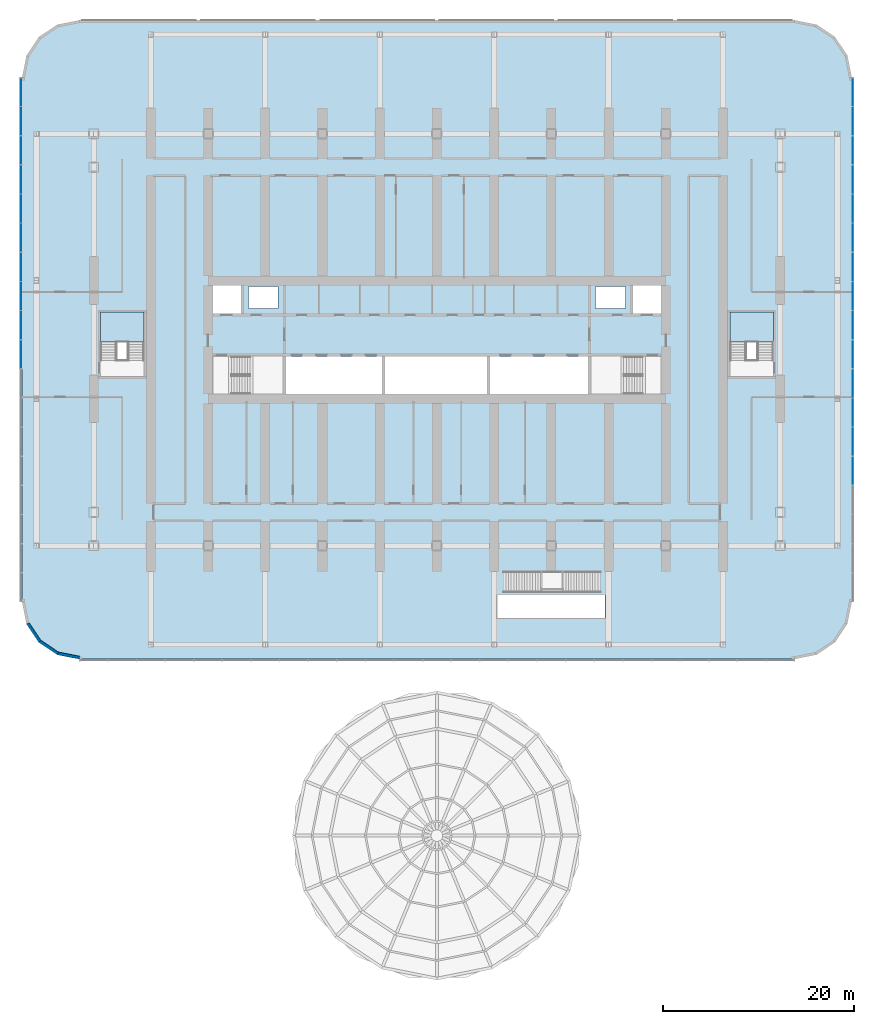
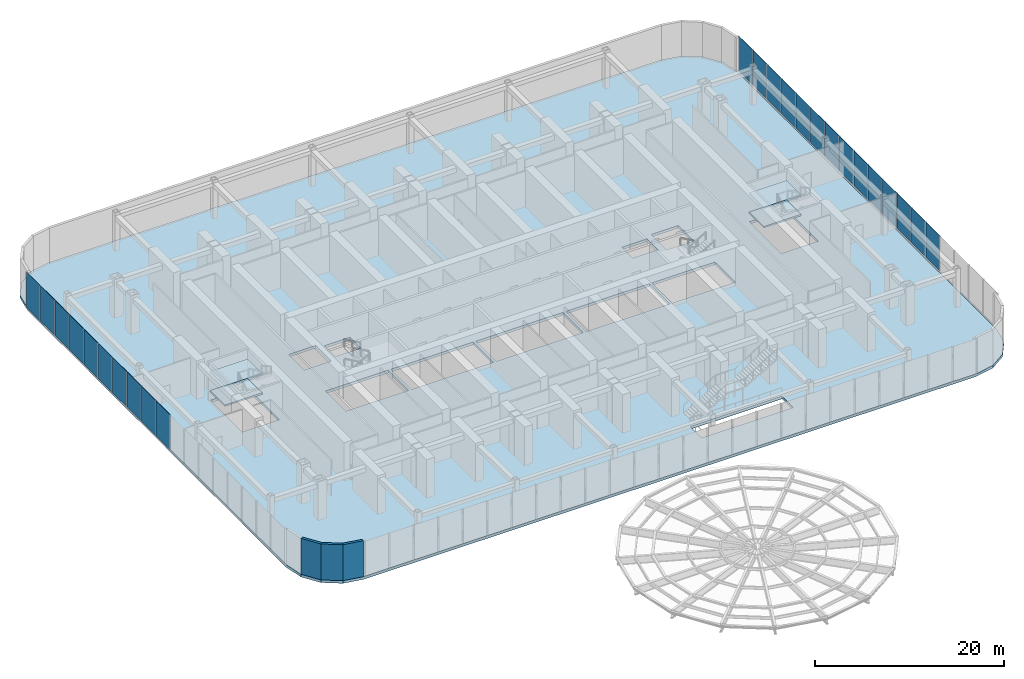
# One storey, part 13 of 37: 24 plates, 5 slabs, 3 walls, 4 elements without a shape of their own.
"""IFC4 building model written with IfcOpenShell, lengths in metres."""

from ifc_helpers import new_model, si_unit, direction, frame, origin, origin_2d, place, context, subcontext, project, spatial, polyline, rectangle, outline, extrude, material, layer, layer_set, type_object, element, aggregate, save


model = new_model("IFC4")

# Units and contexts
model_context = context("Model", 3, precision=1e-05, world=origin(), true_north=direction((0.0, 1.0)))
body_context = subcontext(model_context, "Body", "Model", "MODEL_VIEW")
ifc_project = project(units=[si_unit("LENGTHUNIT", "METRE"), si_unit("AREAUNIT", "SQUARE_METRE"), si_unit("VOLUMEUNIT", "CUBIC_METRE"), si_unit("PLANEANGLEUNIT", "RADIAN"), si_unit("MASSUNIT", "GRAM", prefix="KILO")], contexts=[model_context])

# Site, building, storey
site_placement = place(None, origin())
site = spatial("IfcSite", under=ifc_project, at=site_placement, CompositionType="ELEMENT")
building_placement = place(site_placement, origin())
building = spatial("IfcBuilding", under=site, at=building_placement, Name="Orbita Commons", CompositionType="ELEMENT")
storey_placement = place(building_placement, frame((0.0, 0.0, 6.0)))
storey = spatial("IfcBuildingStorey", under=building, at=storey_placement, Name="L01", CompositionType="ELEMENT", Elevation=6.0)

# Slab
ifc_material_1 = material(Name="Concrete C40/50", Category="concrete")
ifc_layer_1 = layer(ifc_material_1, 0.35009765625)
ifc_layer_set_1 = layer_set([ifc_layer_1], Name="Concrete C40/50")
slab_type_1 = type_object("IfcSlabType", Name="Floor slab 350", PredefinedType="FLOOR", material=ifc_layer_set_1)
slab_1_placement = place(storey_placement, frame((0.0, 0.0, -0.35009765625)))
element("IfcSlab", 1, at=slab_1_placement, inside=storey, type_object=slab_type_1, Name="Floor slab L01", PredefinedType="FLOOR", context=body_context, shape_type="SweptSolid", body=[
    extrude(outline(polyline([(79.5, -1.5), (81.796142578125, -1.043212890625), (83.74267578125, 0.25732421875), (85.043212890625, 2.203857421875), (85.5, 4.5), (85.5, 59.5), (85.043212890625, 61.796142578125), (83.74267578125, 63.74267578125), (81.796142578125, 65.043212890625), (79.5, 65.5), (4.5, 65.5), (2.203857421875, 65.043212890625), (0.25732421875, 63.74267578125), (-1.043212890625, 61.796142578125), (-1.5, 59.5), (-1.5, 4.5), (-1.043212890625, 2.203857421875), (0.25732421875, 0.25732421875), (2.203857421875, -1.043212890625), (4.5, -1.5), (79.5, -1.5)]), holes=[polyline([(18.14990234375, 25.949951171875), (25.85009765625, 25.949951171875), (25.85009765625, 30.25), (18.14990234375, 30.25), (18.14990234375, 25.949951171875)]), polyline([(58.14990234375, 25.949951171875), (65.85009765625, 25.949951171875), (65.85009765625, 30.25), (58.14990234375, 30.25), (58.14990234375, 25.949951171875)]), polyline([(18.14990234375, 34.75), (21.449951171875, 34.75), (21.449951171875, 38.050048828125), (18.14990234375, 38.050048828125), (18.14990234375, 34.75)]), polyline([(62.550048828125, 34.75), (65.85009765625, 34.75), (65.85009765625, 38.050048828125), (62.550048828125, 38.050048828125), (62.550048828125, 34.75)]), polyline([(22.25, 35.25), (25.35009765625, 35.25), (25.35009765625, 37.550048828125), (22.25, 37.550048828125), (22.25, 35.25)]), polyline([(58.64990234375, 35.25), (61.75, 35.25), (61.75, 37.550048828125), (58.64990234375, 37.550048828125), (58.64990234375, 35.25)]), polyline([(26.14990234375, 25.949951171875), (36.25, 25.949951171875), (36.25, 30.25), (26.14990234375, 30.25), (26.14990234375, 25.949951171875)]), polyline([(36.550048828125, 25.949951171875), (47.25, 25.949951171875), (47.25, 30.25), (36.550048828125, 30.25), (36.550048828125, 25.949951171875)]), polyline([(47.550048828125, 25.949951171875), (57.85009765625, 25.949951171875), (57.85009765625, 30.25), (47.550048828125, 30.25), (47.550048828125, 25.949951171875)]), polyline([(48.35009765625, 2.800048828125), (59.60009765625, 2.800048828125), (59.60009765625, 5.199951171875), (48.35009765625, 5.199951171875), (48.35009765625, 2.800048828125)]), polyline([(11.2900390625, 28.110107421875), (6.7099609375, 28.110107421875), (6.7099609375, 29.820068359375), (6.72509765625, 29.820068359375), (6.72509765625, 30.320068359375), (6.72509765625, 34.875), (11.27490234375, 34.875), (11.27490234375, 30.320068359375), (11.27490234375, 29.820068359375), (11.2900390625, 29.820068359375), (11.2900390625, 28.110107421875)]), polyline([(77.2900390625, 28.110107421875), (72.7099609375, 28.110107421875), (72.7099609375, 29.820068359375), (72.72509765625, 29.820068359375), (72.72509765625, 30.320068359375), (72.72509765625, 34.875), (77.27490234375, 34.875), (77.27490234375, 30.320068359375), (77.27490234375, 29.820068359375), (77.2900390625, 29.820068359375), (77.2900390625, 28.110107421875)])]), origin(), (0.0, 0.0, 1.0), 0.35009765625),
])

# Stair, slabs
ifc_material_2 = material(Name="Precast concrete C40/50", Category="concrete")
stair_type = type_object("IfcStairType", Name="Podium exit stair 4 flights 8 risers 156", PredefinedType="HALF_TURN_STAIR", material=ifc_material_2)
stair_1_placement = place(storey_placement, origin())
stair_1 = element("IfcStair", 2, at=stair_1_placement, inside=storey, type_object=stair_type, Name="Podium exit stair PS1 L01", PredefinedType="HALF_TURN_STAIR")
ifc_material_3 = material(Name="Concrete C40/50", Category="concrete")
ifc_layer_2 = layer(ifc_material_3, 0.199951171875)
ifc_layer_set_2 = layer_set([ifc_layer_2], Name="Concrete C40/50")
slab_type_2 = type_object("IfcSlabType", Name="Stair landing 200", PredefinedType="LANDING", material=ifc_layer_set_2)
slab_2_placement = place(storey_placement, frame((0.0, 0.0, 1.050048828125)))
slab_2 = element("IfcSlab", 3, at=slab_2_placement, type_object=slab_type_2, Name="PS1 landing 2", PredefinedType="LANDING", context=body_context, shape_type="SweptSolid", body=[
    extrude(outline(polyline([(6.7099609375, 31.780029296875), (11.2900390625, 31.780029296875), (11.2900390625, 34.889892578125), (6.7099609375, 34.889892578125), (6.7099609375, 31.780029296875)])), origin(), (0.0, 0.0, 1.0), 0.199951171875),
])
slab_3_placement = place(storey_placement, frame((0.0, 0.0, 3.550048828125)))
slab_3 = element("IfcSlab", 4, at=slab_3_placement, type_object=slab_type_2, Name="PS1 landing 4", PredefinedType="LANDING", context=body_context, shape_type="SweptSolid", body=[
    extrude(outline(polyline([(6.7099609375, 31.780029296875), (11.2900390625, 31.780029296875), (11.2900390625, 34.889892578125), (6.7099609375, 34.889892578125), (6.7099609375, 31.780029296875)])), origin(), (0.0, 0.0, 1.0), 0.199951171875),
])
aggregate(stair_1, [slab_2, slab_3])

stair_2_placement = place(storey_placement, origin())
stair_2 = element("IfcStair", 5, at=stair_2_placement, inside=storey, type_object=stair_type, Name="Podium exit stair PS2 L01", PredefinedType="HALF_TURN_STAIR")
slab_4_placement = place(storey_placement, frame((0.0, 0.0, 1.050048828125)))
slab_4 = element("IfcSlab", 6, at=slab_4_placement, type_object=slab_type_2, Name="PS2 landing 2", PredefinedType="LANDING", context=body_context, shape_type="SweptSolid", body=[
    extrude(outline(polyline([(72.7099609375, 31.780029296875), (77.2900390625, 31.780029296875), (77.2900390625, 34.889892578125), (72.7099609375, 34.889892578125), (72.7099609375, 31.780029296875)])), origin(), (0.0, 0.0, 1.0), 0.199951171875),
])
slab_5_placement = place(storey_placement, frame((0.0, 0.0, 3.550048828125)))
slab_5 = element("IfcSlab", 7, at=slab_5_placement, type_object=slab_type_2, Name="PS2 landing 4", PredefinedType="LANDING", context=body_context, shape_type="SweptSolid", body=[
    extrude(outline(polyline([(72.7099609375, 31.780029296875), (77.2900390625, 31.780029296875), (77.2900390625, 34.889892578125), (72.7099609375, 34.889892578125), (72.7099609375, 31.780029296875)])), origin(), (0.0, 0.0, 1.0), 0.199951171875),
])
aggregate(stair_2, [slab_4, slab_5])

# Curtain wall, plates
ifc_material_4 = material(Name="Anodised aluminium frame, pale silver", Category="aluminium")
curtain_wall_type = type_object("IfcCurtainWallType", Name="Podium storefront curtain wall CW-P", PredefinedType="NOTDEFINED", material=ifc_material_4)
curtain_wall_1_placement = place(storey_placement, origin())
curtain_wall_1 = element("IfcCurtainWall", 8, at=curtain_wall_1_placement, inside=storey, type_object=curtain_wall_type, Name="Curtain wall E 1 L01", PredefinedType="NOTDEFINED")
ifc_material_5 = material(Name="Clear double glazing", Category="glass")
ifc_layer_3 = layer(ifc_material_5, 0.031982421875)
ifc_layer_set_3 = layer_set([ifc_layer_3], Name="Clear double glazing")
plate_type = type_object("IfcPlateType", Name="Storefront panel, clear glazing 32", PredefinedType="CURTAIN_PANEL", material=ifc_layer_set_3)
plate_1_placement = place(storey_placement, frame((85.610107421875, 18.25, 0.10009765625), z_axis=(0.0, 0.0, 1.0), x_axis=(0.0, 1.0, 0.0)))
plate_1 = element("IfcPlate", 9, at=plate_1_placement, type_object=plate_type, Name="Panel 5.1 CW-L01-E0", PredefinedType="CURTAIN_PANEL", context=body_context, shape_type="SweptSolid", body=[
    extrude(rectangle(XDim=2.9755859375, YDim=0.031982421875, at=origin_2d()), origin(), (0.0, 0.0, 1.0), 4.550048828125),
])
plate_2_placement = place(storey_placement, frame((85.610107421875, 21.3056640625, 0.10009765625), z_axis=(0.0, 0.0, 1.0), x_axis=(0.0, 1.0, 0.0)))
plate_2 = element("IfcPlate", 10, at=plate_2_placement, type_object=plate_type, Name="Panel 6.1 CW-L01-E0", PredefinedType="CURTAIN_PANEL", context=body_context, shape_type="SweptSolid", body=[
    extrude(rectangle(XDim=2.9755859375, YDim=0.031982421875, at=origin_2d()), origin(), (0.0, 0.0, 1.0), 4.550048828125),
])
plate_3_placement = place(storey_placement, frame((85.610107421875, 24.361083984375, 0.10009765625), z_axis=(0.0, 0.0, 1.0), x_axis=(0.0, 1.0, 0.0)))
plate_3 = element("IfcPlate", 11, at=plate_3_placement, type_object=plate_type, Name="Panel 7.1 CW-L01-E0", PredefinedType="CURTAIN_PANEL", context=body_context, shape_type="SweptSolid", body=[
    extrude(rectangle(XDim=2.9755859375, YDim=0.031982421875, at=origin_2d()), origin(), (0.0, 0.0, 1.0), 4.550048828125),
])
plate_4_placement = place(storey_placement, frame((85.610107421875, 27.416748046875, 0.10009765625), z_axis=(0.0, 0.0, 1.0), x_axis=(0.0, 1.0, 0.0)))
plate_4 = element("IfcPlate", 12, at=plate_4_placement, type_object=plate_type, Name="Panel 8.1 CW-L01-E0", PredefinedType="CURTAIN_PANEL", context=body_context, shape_type="SweptSolid", body=[
    extrude(rectangle(XDim=2.9755859375, YDim=0.031982421875, at=origin_2d()), origin(), (0.0, 0.0, 1.0), 4.550048828125),
])
plate_5_placement = place(storey_placement, frame((85.610107421875, 30.47216796875, 0.10009765625), z_axis=(0.0, 0.0, 1.0), x_axis=(0.0, 1.0, 0.0)))
plate_5 = element("IfcPlate", 13, at=plate_5_placement, type_object=plate_type, Name="Panel 9.1 CW-L01-E0", PredefinedType="CURTAIN_PANEL", context=body_context, shape_type="SweptSolid", body=[
    extrude(rectangle(XDim=2.9755859375, YDim=0.031982421875, at=origin_2d()), origin(), (0.0, 0.0, 1.0), 4.550048828125),
])
plate_6_placement = place(storey_placement, frame((85.610107421875, 33.52783203125, 0.10009765625), z_axis=(0.0, 0.0, 1.0), x_axis=(0.0, 1.0, 0.0)))
plate_6 = element("IfcPlate", 14, at=plate_6_placement, type_object=plate_type, Name="Panel 10.1 CW-L01-E0", PredefinedType="CURTAIN_PANEL", context=body_context, shape_type="SweptSolid", body=[
    extrude(rectangle(XDim=2.9755859375, YDim=0.031982421875, at=origin_2d()), origin(), (0.0, 0.0, 1.0), 4.550048828125),
])
plate_7_placement = place(storey_placement, frame((85.610107421875, 36.583251953125, 0.10009765625), z_axis=(0.0, 0.0, 1.0), x_axis=(0.0, 1.0, 0.0)))
plate_7 = element("IfcPlate", 15, at=plate_7_placement, type_object=plate_type, Name="Panel 11.1 CW-L01-E0", PredefinedType="CURTAIN_PANEL", context=body_context, shape_type="SweptSolid", body=[
    extrude(rectangle(XDim=2.9755859375, YDim=0.031982421875, at=origin_2d()), origin(), (0.0, 0.0, 1.0), 4.550048828125),
])
plate_8_placement = place(storey_placement, frame((85.610107421875, 39.638916015625, 0.10009765625), z_axis=(0.0, 0.0, 1.0), x_axis=(0.0, 1.0, 0.0)))
plate_8 = element("IfcPlate", 16, at=plate_8_placement, type_object=plate_type, Name="Panel 12.1 CW-L01-E0", PredefinedType="CURTAIN_PANEL", context=body_context, shape_type="SweptSolid", body=[
    extrude(rectangle(XDim=2.9755859375, YDim=0.031982421875, at=origin_2d()), origin(), (0.0, 0.0, 1.0), 4.550048828125),
])
plate_9_placement = place(storey_placement, frame((85.610107421875, 42.6943359375, 0.10009765625), z_axis=(0.0, 0.0, 1.0), x_axis=(0.0, 1.0, 0.0)))
plate_9 = element("IfcPlate", 17, at=plate_9_placement, type_object=plate_type, Name="Panel 13.1 CW-L01-E0", PredefinedType="CURTAIN_PANEL", context=body_context, shape_type="SweptSolid", body=[
    extrude(rectangle(XDim=2.9755859375, YDim=0.031982421875, at=origin_2d()), origin(), (0.0, 0.0, 1.0), 4.550048828125),
])
plate_10_placement = place(storey_placement, frame((85.610107421875, 45.75, 0.10009765625), z_axis=(0.0, 0.0, 1.0), x_axis=(0.0, 1.0, 0.0)))
plate_10 = element("IfcPlate", 18, at=plate_10_placement, type_object=plate_type, Name="Panel 14.1 CW-L01-E0", PredefinedType="CURTAIN_PANEL", context=body_context, shape_type="SweptSolid", body=[
    extrude(rectangle(XDim=2.9755859375, YDim=0.031982421875, at=origin_2d()), origin(), (0.0, 0.0, 1.0), 4.550048828125),
])
plate_11_placement = place(storey_placement, frame((85.610107421875, 48.8056640625, 0.10009765625), z_axis=(0.0, 0.0, 1.0), x_axis=(0.0, 1.0, 0.0)))
plate_11 = element("IfcPlate", 19, at=plate_11_placement, type_object=plate_type, Name="Panel 15.1 CW-L01-E0", PredefinedType="CURTAIN_PANEL", context=body_context, shape_type="SweptSolid", body=[
    extrude(rectangle(XDim=2.9755859375, YDim=0.031982421875, at=origin_2d()), origin(), (0.0, 0.0, 1.0), 4.550048828125),
])
plate_12_placement = place(storey_placement, frame((85.610107421875, 51.861083984375, 0.10009765625), z_axis=(0.0, 0.0, 1.0), x_axis=(0.0, 1.0, 0.0)))
plate_12 = element("IfcPlate", 20, at=plate_12_placement, type_object=plate_type, Name="Panel 16.1 CW-L01-E0", PredefinedType="CURTAIN_PANEL", context=body_context, shape_type="SweptSolid", body=[
    extrude(rectangle(XDim=2.9755859375, YDim=0.031982421875, at=origin_2d()), origin(), (0.0, 0.0, 1.0), 4.550048828125),
])
plate_13_placement = place(storey_placement, frame((85.610107421875, 54.916748046875, 0.10009765625), z_axis=(0.0, 0.0, 1.0), x_axis=(0.0, 1.0, 0.0)))
plate_13 = element("IfcPlate", 21, at=plate_13_placement, type_object=plate_type, Name="Panel 17.1 CW-L01-E0", PredefinedType="CURTAIN_PANEL", context=body_context, shape_type="SweptSolid", body=[
    extrude(rectangle(XDim=2.9755859375, YDim=0.031982421875, at=origin_2d()), origin(), (0.0, 0.0, 1.0), 4.550048828125),
])
plate_14_placement = place(storey_placement, frame((85.610107421875, 57.9521484375, 0.10009765625), z_axis=(0.0, 0.0, 1.0), x_axis=(0.0, 1.0, 0.0)))
plate_14 = element("IfcPlate", 22, at=plate_14_placement, type_object=plate_type, Name="Panel 18.1 CW-L01-E0", PredefinedType="CURTAIN_PANEL", context=body_context, shape_type="SweptSolid", body=[
    extrude(rectangle(XDim=2.935546875, YDim=0.031982421875, at=origin_2d()), origin(), (0.0, 0.0, 1.0), 4.550048828125),
])
aggregate(curtain_wall_1, [plate_1, plate_2, plate_3, plate_4, plate_5, plate_6, plate_7, plate_8, plate_9, plate_10, plate_11, plate_12, plate_13, plate_14])

curtain_wall_2_placement = place(storey_placement, origin())
curtain_wall_2 = element("IfcCurtainWall", 23, at=curtain_wall_2_placement, inside=storey, type_object=curtain_wall_type, Name="Curtain wall W 1 L01", PredefinedType="NOTDEFINED")
plate_15_placement = place(storey_placement, frame((-1.610107421875, 57.9521484375, 0.10009765625), z_axis=(0.0, 0.0, 1.0), x_axis=(0.0, -1.0, 0.0)))
plate_15 = element("IfcPlate", 24, at=plate_15_placement, type_object=plate_type, Name="Panel 1.1 CW-L01-W0", PredefinedType="CURTAIN_PANEL", context=body_context, shape_type="SweptSolid", body=[
    extrude(rectangle(XDim=2.935546875, YDim=0.031982421875, at=origin_2d()), origin(), (0.0, 0.0, 1.0), 4.550048828125),
])
plate_16_placement = place(storey_placement, frame((-1.610107421875, 54.916748046875, 0.10009765625), z_axis=(0.0, 0.0, 1.0), x_axis=(0.0, -1.0, 0.0)))
plate_16 = element("IfcPlate", 25, at=plate_16_placement, type_object=plate_type, Name="Panel 2.1 CW-L01-W0", PredefinedType="CURTAIN_PANEL", context=body_context, shape_type="SweptSolid", body=[
    extrude(rectangle(XDim=2.9755859375, YDim=0.031982421875, at=origin_2d()), origin(), (0.0, 0.0, 1.0), 4.550048828125),
])
plate_17_placement = place(storey_placement, frame((-1.610107421875, 51.861083984375, 0.10009765625), z_axis=(0.0, 0.0, 1.0), x_axis=(0.0, -1.0, 0.0)))
plate_17 = element("IfcPlate", 26, at=plate_17_placement, type_object=plate_type, Name="Panel 3.1 CW-L01-W0", PredefinedType="CURTAIN_PANEL", context=body_context, shape_type="SweptSolid", body=[
    extrude(rectangle(XDim=2.9755859375, YDim=0.031982421875, at=origin_2d()), origin(), (0.0, 0.0, 1.0), 4.550048828125),
])
plate_18_placement = place(storey_placement, frame((-1.610107421875, 48.8056640625, 0.10009765625), z_axis=(0.0, 0.0, 1.0), x_axis=(0.0, -1.0, 0.0)))
plate_18 = element("IfcPlate", 27, at=plate_18_placement, type_object=plate_type, Name="Panel 4.1 CW-L01-W0", PredefinedType="CURTAIN_PANEL", context=body_context, shape_type="SweptSolid", body=[
    extrude(rectangle(XDim=2.9755859375, YDim=0.031982421875, at=origin_2d()), origin(), (0.0, 0.0, 1.0), 4.550048828125),
])
plate_19_placement = place(storey_placement, frame((-1.610107421875, 45.75, 0.10009765625), z_axis=(0.0, 0.0, 1.0), x_axis=(0.0, -1.0, 0.0)))
plate_19 = element("IfcPlate", 28, at=plate_19_placement, type_object=plate_type, Name="Panel 5.1 CW-L01-W0", PredefinedType="CURTAIN_PANEL", context=body_context, shape_type="SweptSolid", body=[
    extrude(rectangle(XDim=2.9755859375, YDim=0.031982421875, at=origin_2d()), origin(), (0.0, 0.0, 1.0), 4.550048828125),
])
plate_20_placement = place(storey_placement, frame((-1.610107421875, 42.6943359375, 0.10009765625), z_axis=(0.0, 0.0, 1.0), x_axis=(0.0, -1.0, 0.0)))
plate_20 = element("IfcPlate", 29, at=plate_20_placement, type_object=plate_type, Name="Panel 6.1 CW-L01-W0", PredefinedType="CURTAIN_PANEL", context=body_context, shape_type="SweptSolid", body=[
    extrude(rectangle(XDim=2.9755859375, YDim=0.031982421875, at=origin_2d()), origin(), (0.0, 0.0, 1.0), 4.550048828125),
])
plate_21_placement = place(storey_placement, frame((-1.610107421875, 39.638916015625, 0.10009765625), z_axis=(0.0, 0.0, 1.0), x_axis=(0.0, -1.0, 0.0)))
plate_21 = element("IfcPlate", 30, at=plate_21_placement, type_object=plate_type, Name="Panel 7.1 CW-L01-W0", PredefinedType="CURTAIN_PANEL", context=body_context, shape_type="SweptSolid", body=[
    extrude(rectangle(XDim=2.9755859375, YDim=0.031982421875, at=origin_2d()), origin(), (0.0, 0.0, 1.0), 4.550048828125),
])
plate_22_placement = place(storey_placement, frame((-1.610107421875, 36.583251953125, 0.10009765625), z_axis=(0.0, 0.0, 1.0), x_axis=(0.0, -1.0, 0.0)))
plate_22 = element("IfcPlate", 31, at=plate_22_placement, type_object=plate_type, Name="Panel 8.1 CW-L01-W0", PredefinedType="CURTAIN_PANEL", context=body_context, shape_type="SweptSolid", body=[
    extrude(rectangle(XDim=2.9755859375, YDim=0.031982421875, at=origin_2d()), origin(), (0.0, 0.0, 1.0), 4.550048828125),
])
plate_23_placement = place(storey_placement, frame((-1.610107421875, 33.52783203125, 0.10009765625), z_axis=(0.0, 0.0, 1.0), x_axis=(0.0, -1.0, 0.0)))
plate_23 = element("IfcPlate", 32, at=plate_23_placement, type_object=plate_type, Name="Panel 9.1 CW-L01-W0", PredefinedType="CURTAIN_PANEL", context=body_context, shape_type="SweptSolid", body=[
    extrude(rectangle(XDim=2.9755859375, YDim=0.031982421875, at=origin_2d()), origin(), (0.0, 0.0, 1.0), 4.550048828125),
])
plate_24_placement = place(storey_placement, frame((-1.610107421875, 30.47216796875, 0.10009765625), z_axis=(0.0, 0.0, 1.0), x_axis=(0.0, -1.0, 0.0)))
plate_24 = element("IfcPlate", 33, at=plate_24_placement, type_object=plate_type, Name="Panel 10.1 CW-L01-W0", PredefinedType="CURTAIN_PANEL", context=body_context, shape_type="SweptSolid", body=[
    extrude(rectangle(XDim=2.9755859375, YDim=0.031982421875, at=origin_2d()), origin(), (0.0, 0.0, 1.0), 4.550048828125),
])
aggregate(curtain_wall_2, [plate_15, plate_16, plate_17, plate_18, plate_19, plate_20, plate_21, plate_22, plate_23, plate_24])

# Walls
ifc_material_6 = material(Name="Precast concrete C40/50, white board-marked finish", Category="concrete")
ifc_layer_4 = layer(ifc_material_6, 0.300048828125)
ifc_layer_set_4 = layer_set([ifc_layer_4], Name="Precast concrete C40/50, white board-marked finish")
wall_type = type_object("IfcWallType", Name="Precast concrete end shield 300", PredefinedType="SOLIDWALL", material=ifc_layer_set_4)
for number, where, z_axis, x_axis, name in (
    (34, (-0.90478515625, 2.26123046875, 0.0), (0.0, 0.0, 1.0), (0.555539121903, -0.831490399244, 0.0), "Podium corner wall SW 2 L01"),
    (35, (0.36328125, 0.36328125, 0.0), (0.0, 0.0, 1.0), (0.831490399244, -0.555539121903, 0.0), "Podium corner wall SW 3 L01"),
):
    element("IfcWall", number, at=place(storey_placement, frame(where, z_axis=z_axis, x_axis=x_axis)), inside=storey, type_object=wall_type, Name=name, PredefinedType="SOLIDWALL", context=body_context, shape_type="SweptSolid", body=[
        extrude(outline(polyline([(-0.02978515625, -0.14990234375), (2.312255859375, -0.14990234375), (2.252685546875, 0.14990234375), (0.02978515625, 0.14990234375), (-0.02978515625, -0.14990234375)])), origin(), (0.0, 0.0, 1.0), 4.64990234375),
    ])
wall_placement = place(storey_placement, frame((2.26123046875, -0.90478515625, 0.0), z_axis=(0.0, 0.0, 1.0), x_axis=(0.98078582086, -0.195087604935, 0.0)))
element("IfcWall", 36, at=wall_placement, inside=storey, type_object=wall_type, Name="Podium corner wall SW 4 L01", PredefinedType="SOLIDWALL", context=body_context, shape_type="SweptSolid", body=[
    extrude(outline(polyline([(-0.02978515625, -0.14990234375), (2.3125, -0.14990234375), (2.2529296875, 0.14990234375), (0.02978515625, 0.14990234375), (-0.02978515625, -0.14990234375)])), origin(), (0.0, 0.0, 1.0), 4.64990234375),
])

save(model, "model.ifc")
